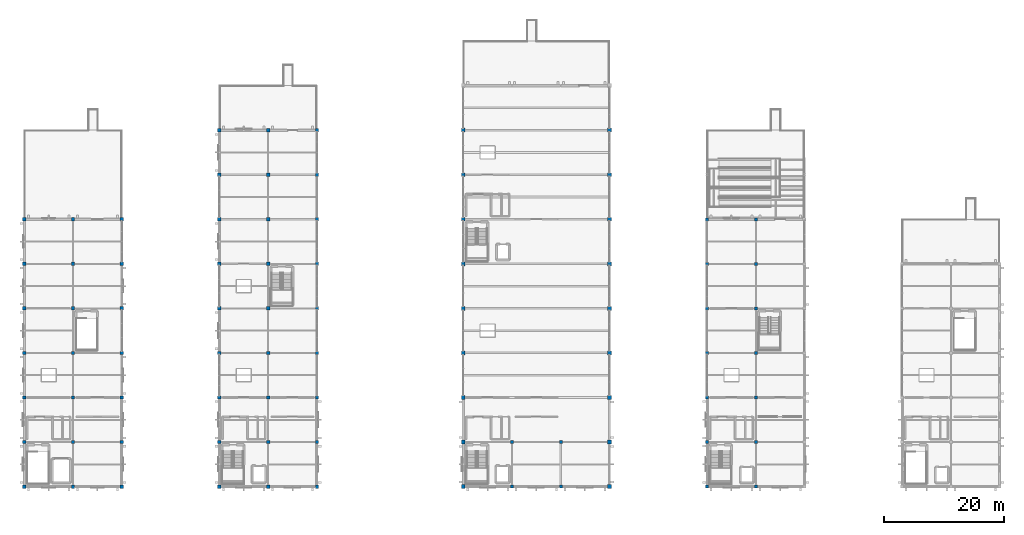
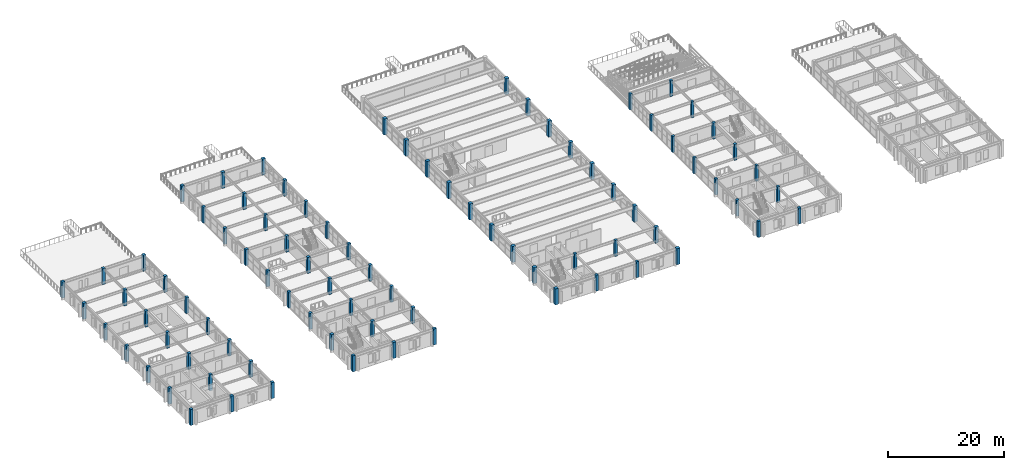
# One storey, part 1 of 93: 84 columns.
"""IFC4 building model written with IfcOpenShell, lengths in metres."""

import ifcopenshell
import ifcopenshell.guid

model = None  # the IFC model being written
_history = None  # IfcOwnerHistory: only IFC2X3 demands one
_inside = {}  # id of a spatial element -> (the spatial element, [elements in it])
_under = {}  # id of a project, library or spatial element -> (it, [spatial elements below it])
_declared = {}  # id of a project -> (the project, [libraries it declares])
_typed = {}  # id of a type object -> (the type object, [elements of that type])
_made_of = {}  # id of a material, layer set ... -> (it, [elements and type objects made of it])


def new_model(schema):
    """Start an empty IFC model of exactly this schema.

    Asked for "IFC4X3", IfcOpenShell would pick the latest addendum, in which some entities
    have other attributes; the version numbers below select the first issue.
    IFC2X3 requires an IfcOwnerHistory on every rooted entity: one is made here for all.
    """
    global model, _history
    if schema == "IFC4X3":
        model = ifcopenshell.file(schema_version=(4, 3, 0, 0))
    else:
        model = ifcopenshell.file(schema=schema)
    _inside.clear()
    _under.clear()
    _declared.clear()
    _typed.clear()
    _made_of.clear()
    _history = None
    if model.schema == "IFC2X3":
        org = make("IfcOrganization", Name="unknown")
        user = make(
            "IfcPersonAndOrganization",
            ThePerson=make("IfcPerson", FamilyName="unknown"),
            TheOrganization=org,
        )
        app = make(
            "IfcApplication",
            ApplicationDeveloper=org,
            Version="unknown",
            ApplicationFullName="unknown",
            ApplicationIdentifier="unknown",
        )
        _history = make(
            "IfcOwnerHistory",
            OwningUser=user,
            OwningApplication=app,
            ChangeAction="ADDED",
            CreationDate=0,
        )
    return model


def make(cls, **values):
    """One entity of the class cls with the attributes given. An attribute that is None is left unset."""
    return model.create_entity(
        cls, **{name: value for name, value in values.items() if value is not None}
    )


def rooted(cls, **values):
    """An entity with a GlobalId (a new one), such as an element, a storey or a relation."""
    return make(cls, GlobalId=ifcopenshell.guid.new(), OwnerHistory=_history, **values)


def si_unit(unit_type, name, prefix=None):
    """IfcSIUnit, for example si_unit("LENGTHUNIT", "METRE", prefix="MILLI")."""
    return make("IfcSIUnit", UnitType=unit_type, Prefix=prefix, Name=name)


def assignment(units):
    """IfcUnitAssignment: the units of a project."""
    return None if units is None else make("IfcUnitAssignment", Units=units)


def point(xyz):
    """IfcCartesianPoint."""
    return None if xyz is None else make("IfcCartesianPoint", Coordinates=xyz)


def direction(xyz):
    """IfcDirection."""
    return None if xyz is None else make("IfcDirection", DirectionRatios=xyz)


def frame(location, z_axis=None, x_axis=None):
    """IfcAxis2Placement3D, a coordinate frame: its origin and axes. An axis left out is left unset."""
    return make(
        "IfcAxis2Placement3D",
        Location=point(location),
        Axis=direction(z_axis),
        RefDirection=direction(x_axis),
    )


def frame_2d(location, x_axis=None):
    """IfcAxis2Placement2D, a coordinate frame in the plane: its origin and x axis."""
    return make(
        "IfcAxis2Placement2D", Location=point(location), RefDirection=direction(x_axis)
    )


def origin():
    """The frame at (0, 0, 0) with its axes left unset."""
    return frame((0.0, 0.0, 0.0))


def origin_2d():
    """The frame at (0, 0) in the plane with its x axis left unset."""
    return frame_2d((0.0, 0.0))


def place(relative_to, where):
    """IfcLocalPlacement: puts the frame where relative to a parent placement (None: the world)."""
    return make(
        "IfcLocalPlacement", PlacementRelTo=relative_to, RelativePlacement=where
    )


def context(
    kind, dimensions, precision=None, world=None, true_north=None, identifier=None
):
    """IfcGeometricRepresentationContext, for example the 3D "Model" context."""
    return make(
        "IfcGeometricRepresentationContext",
        ContextIdentifier=identifier,
        ContextType=kind,
        CoordinateSpaceDimension=dimensions,
        Precision=precision,
        WorldCoordinateSystem=world,
        TrueNorth=true_north,
    )


def subcontext(parent, identifier, kind, view, scale=None):
    """IfcGeometricRepresentationSubContext, for example "Body" below "Model"."""
    return make(
        "IfcGeometricRepresentationSubContext",
        ContextIdentifier=identifier,
        ContextType=kind,
        ParentContext=parent,
        TargetScale=scale,
        TargetView=view,
    )


def project(units=None, contexts=None):
    """IfcProject with its units and contexts."""
    return rooted(
        "IfcProject",
        Name="project",
        RepresentationContexts=contexts,
        UnitsInContext=assignment(units),
    )


def spatial(cls, under=None, at=None, **own):
    """A site, building, storey or space (cls), placed at a placement, below another one or the project."""
    s = rooted(cls, ObjectPlacement=at, **own)
    if under is not None:
        _under.setdefault(under.id(), (under, []))[1].append(s)
    return s


def profile(cls, at=None, kind="AREA", **sizes):
    """A parametric profile (cls). Its sizes go by their IFC names, for example OverallWidth=200.0."""
    return make(cls, ProfileType=kind, Position=at, **sizes)


def rectangle(**sizes):
    """IfcRectangleProfileDef."""
    return profile("IfcRectangleProfileDef", **sizes)


def extrude(swept, where, along, depth):
    """IfcExtrudedAreaSolid: the profile swept, set in the frame where, extruded along a direction by depth."""
    return make(
        "IfcExtrudedAreaSolid",
        SweptArea=swept,
        Position=where,
        ExtrudedDirection=direction(along),
        Depth=depth,
    )


def shape(context_of_items, identifier, shape_type, items):
    """IfcShapeRepresentation: the items that make up one representation, for example the "Body"."""
    return make(
        "IfcShapeRepresentation",
        ContextOfItems=context_of_items,
        RepresentationIdentifier=identifier,
        RepresentationType=shape_type,
        Items=items,
    )


def material(Name=None, Category=None):
    """IfcMaterial."""
    return make("IfcMaterial", Name=Name, Category=Category)


def material_profile(
    of_material, cross_section, Name=None, Category=None, Priority=None
):
    """IfcMaterialProfile: a cross section and its material."""
    return make(
        "IfcMaterialProfile",
        Name=Name,
        Material=of_material,
        Profile=cross_section,
        Priority=Priority,
        Category=Category,
    )


def profile_set(profiles, Name=None, composite=None):
    """IfcMaterialProfileSet."""
    return make(
        "IfcMaterialProfileSet",
        Name=Name,
        MaterialProfiles=profiles,
        CompositeProfile=composite,
    )


def made_of(thing, what):
    """Note that an element or type object is made of a material, layer set ...; save() writes the relation."""
    if what is not None:
        _made_of.setdefault(what.id(), (what, []))[1].append(thing)
    return thing


def type_object(cls, material=None, **own):
    """A type object (cls), such as IfcWallType, which elements share."""
    return made_of(rooted(cls, **own), material)


def element(
    cls,
    number,
    at=None,
    inside=None,
    cuts=None,
    type_object=None,
    material=None,
    context=None,
    identifier="Body",
    shape_type=None,
    held_by="IfcProductDefinitionShape",
    body=None,
    shapes=None,
    **own,
):
    """One element of the class cls, such as IfcWall. Its Tag is "e" and its number.

    at: its placement. inside: the storey or other place that contains it. cuts: it is an
    opening in that element (IfcRelVoidsElement). A single representation is given by context,
    identifier, shape_type and body (its items); several are given by shapes. held_by: the class
    of the entity that holds the representations. save() writes the other relations.
    """
    e = rooted(cls, Tag="e%d" % number, ObjectPlacement=at, **own)
    if body is not None:
        shapes = [shape(context, identifier, shape_type, body)]
    if shapes is not None:
        e.Representation = make(held_by, Representations=shapes)
    if inside is not None:
        _inside.setdefault(inside.id(), (inside, []))[1].append(e)
    if cuts is not None:
        rooted(
            "IfcRelVoidsElement", RelatingBuildingElement=cuts, RelatedOpeningElement=e
        )
    if type_object is not None:
        _typed.setdefault(type_object.id(), (type_object, []))[1].append(e)
    return made_of(e, material)


def aggregate(whole, parts):
    """IfcRelAggregates: a whole, such as a stair, and the parts it consists of."""
    return rooted("IfcRelAggregates", RelatingObject=whole, RelatedObjects=parts)


def save(model, path):
    """Write the relations noted so far, then the file.

    IfcRelAggregates (storeys below a building ...), IfcRelContainedInSpatialStructure (elements
    in a storey), IfcRelDefinesByType, IfcRelAssociatesMaterial and IfcRelDeclares: one each for
    every whole, place, type object, material and project.
    """
    for whole, parts in _under.values():
        aggregate(whole, parts)
    for where, things in _inside.values():
        rooted(
            "IfcRelContainedInSpatialStructure",
            RelatedElements=things,
            RelatingStructure=where,
        )
    for kind, things in _typed.values():
        rooted("IfcRelDefinesByType", RelatedObjects=things, RelatingType=kind)
    for what, things in _made_of.values():
        rooted("IfcRelAssociatesMaterial", RelatedObjects=things, RelatingMaterial=what)
    for by, libraries in _declared.values():
        rooted("IfcRelDeclares", RelatingContext=by, RelatedDefinitions=libraries)
    model.write(path)


model = new_model("IFC4")

# Units and contexts
model_context = context("Model", 3, precision=1e-05, world=origin(), true_north=direction((0.0, 1.0)))
body_context = subcontext(model_context, "Body", "Model", "MODEL_VIEW")
ifc_project = project(units=[si_unit("LENGTHUNIT", "METRE"), si_unit("AREAUNIT", "SQUARE_METRE"), si_unit("VOLUMEUNIT", "CUBIC_METRE"), si_unit("PLANEANGLEUNIT", "RADIAN"), si_unit("MASSUNIT", "GRAM", prefix="KILO")], contexts=[model_context])

# Site, building, storey
site_placement = place(None, origin())
site = spatial("IfcSite", under=ifc_project, at=site_placement, CompositionType="ELEMENT")
building_placement = place(site_placement, origin())
building = spatial("IfcBuilding", under=site, at=building_placement, Name="Cimatlan Art Gallery", CompositionType="ELEMENT")
storey_placement = place(building_placement, frame((0.0, 0.0, 13.800048828125)))
storey = spatial("IfcBuildingStorey", under=building, at=storey_placement, Name="L03", CompositionType="ELEMENT", Elevation=13.800048828125)

# Columns
ifc_material = material(Name="Concrete C45/55", Category="concrete")
ifc_material_profile_1 = material_profile(ifc_material, rectangle(XDim=0.5, YDim=0.5, at=origin_2d()), Name="RC500X500")
ifc_profile_set_1 = profile_set([ifc_material_profile_1], Name="Concrete C45/55")
column_type_1 = type_object("IfcColumnType", Name="COL-RC-500", PredefinedType="COLUMN", material=ifc_profile_set_1)
for number, where, z_axis, x_axis, name in (
    (1, (83.0, 23.89990234375, 0.0), (0.0, 0.0, 1.0), (1.0, 0.0, 0.0), "COL-L03-10-03"),
    (2, (83.0, 31.300048828125, 0.0), (0.0, 0.0, 1.0), (1.0, 0.0, 0.0), "COL-L03-10-04"),
    (3, (91.10009765625, 23.89990234375, 0.0), (0.0, 0.0, 1.0), (1.0, 0.0, 0.0), "COL-L03-11-03"),
    (4, (91.10009765625, 31.300048828125, 0.0), (0.0, 0.0, 1.0), (1.0, 0.0, 0.0), "COL-L03-11-04"),
    (5, (115.39990234375, 23.89990234375, 0.0), (0.0, 0.0, 1.0), (1.0, 0.0, 0.0), "COL-L03-14-03"),
    (6, (115.39990234375, 31.300048828125, 0.0), (0.0, 0.0, 1.0), (1.0, 0.0, 0.0), "COL-L03-14-04"),
    (7, (115.39990234375, 38.699951171875, 0.0), (0.0, 0.0, 1.0), (1.0, 0.0, 0.0), "COL-L03-14-05"),
    (8, (115.39990234375, 46.10009765625, 0.0), (0.0, 0.0, 1.0), (1.0, 0.0, 0.0), "COL-L03-14-06"),
    (9, (115.39990234375, 53.5, 0.0), (0.0, 0.0, 1.0), (1.0, 0.0, 0.0), "COL-L03-14-07"),
    (10, (115.39990234375, 60.89990234375, 0.0), (0.0, 0.0, 1.0), (1.0, 0.0, 0.0), "COL-L03-14-08"),
    (11, (115.39990234375, 68.300048828125, 0.0), (0.0, 0.0, 1.0), (1.0, 0.0, 0.0), "COL-L03-14-09"),
    (12, (123.5, 23.89990234375, 0.0), (0.0, 0.0, 1.0), (1.0, 0.0, 0.0), "COL-L03-15-03"),
    (13, (123.5, 31.300048828125, 0.0), (0.0, 0.0, 1.0), (1.0, 0.0, 0.0), "COL-L03-15-04"),
    (14, (123.5, 38.699951171875, 0.0), (0.0, 0.0, 1.0), (1.0, 0.0, 0.0), "COL-L03-15-05"),
    (15, (123.5, 46.10009765625, 0.0), (0.0, 0.0, 1.0), (1.0, 0.0, 0.0), "COL-L03-15-06"),
    (16, (123.5, 53.5, 0.0), (0.0, 0.0, 1.0), (1.0, 0.0, 0.0), "COL-L03-15-07"),
    (17, (123.5, 60.89990234375, 0.0), (0.0, 0.0, 1.0), (1.0, 0.0, 0.0), "COL-L03-15-08"),
    (18, (123.5, 68.300048828125, 0.0), (0.0, 0.0, 1.0), (1.0, 0.0, 0.0), "COL-L03-15-09"),
):
    element("IfcColumn", number, at=place(storey_placement, frame(where, z_axis=z_axis, x_axis=x_axis)), inside=storey, type_object=column_type_1, Name=name, PredefinedType="COLUMN", context=body_context, shape_type="SweptSolid", body=[
        extrude(rectangle(XDim=0.5, YDim=0.5, at=origin_2d()), origin(), (0.0, 0.0, 1.0), 3.3798828125),
    ])
ifc_material_profile_2 = material_profile(ifc_material, rectangle(XDim=0.550048828125, YDim=0.550048828125, at=origin_2d()), Name="RC550X550")
ifc_profile_set_2 = profile_set([ifc_material_profile_2], Name="Concrete C45/55")
column_type_2 = type_object("IfcColumnType", Name="COL-RC-550", PredefinedType="COLUMN", material=ifc_profile_set_2)
for number, where, z_axis, x_axis, name in (
    (19, (2.0, 23.89990234375, 0.0), (0.0, 0.0, 1.0), (1.0, 0.0, 0.0), "COL-L03-00-03"),
    (20, (2.0, 31.300048828125, 0.0), (0.0, 0.0, 1.0), (1.0, 0.0, 0.0), "COL-L03-00-04"),
    (21, (2.0, 38.699951171875, 0.0), (0.0, 0.0, 1.0), (1.0, 0.0, 0.0), "COL-L03-00-05"),
    (22, (2.0, 46.10009765625, 0.0), (0.0, 0.0, 1.0), (1.0, 0.0, 0.0), "COL-L03-00-06"),
    (23, (2.0, 53.5, 0.0), (0.0, 0.0, 1.0), (1.0, 0.0, 0.0), "COL-L03-00-07"),
    (24, (2.0, 60.89990234375, 0.0), (0.0, 0.0, 1.0), (1.0, 0.0, 0.0), "COL-L03-00-08"),
    (25, (2.0, 68.300048828125, 0.0), (0.0, 0.0, 1.0), (1.0, 0.0, 0.0), "COL-L03-00-09"),
    (26, (10.10009765625, 23.89990234375, 0.0), (0.0, 0.0, 1.0), (1.0, 0.0, 0.0), "COL-L03-01-03"),
    (27, (10.10009765625, 31.300048828125, 0.0), (0.0, 0.0, 1.0), (1.0, 0.0, 0.0), "COL-L03-01-04"),
    (28, (10.10009765625, 38.699951171875, 0.0), (0.0, 0.0, 1.0), (1.0, 0.0, 0.0), "COL-L03-01-05"),
    (29, (10.10009765625, 46.10009765625, 0.0), (0.0, 0.0, 1.0), (1.0, 0.0, 0.0), "COL-L03-01-06"),
    (30, (10.10009765625, 53.5, 0.0), (0.0, 0.0, 1.0), (1.0, 0.0, 0.0), "COL-L03-01-07"),
    (31, (10.10009765625, 60.89990234375, 0.0), (0.0, 0.0, 1.0), (1.0, 0.0, 0.0), "COL-L03-01-08"),
    (32, (10.10009765625, 68.300048828125, 0.0), (0.0, 0.0, 1.0), (1.0, 0.0, 0.0), "COL-L03-01-09"),
    (33, (18.199951171875, 23.89990234375, 0.0), (0.0, 0.0, 1.0), (1.0, 0.0, 0.0), "COL-L03-02-03"),
    (34, (18.199951171875, 31.300048828125, 0.0), (0.0, 0.0, 1.0), (1.0, 0.0, 0.0), "COL-L03-02-04"),
    (35, (18.199951171875, 38.699951171875, 0.0), (0.0, 0.0, 1.0), (1.0, 0.0, 0.0), "COL-L03-02-05"),
    (36, (18.199951171875, 46.10009765625, 0.0), (0.0, 0.0, 1.0), (1.0, 0.0, 0.0), "COL-L03-02-06"),
    (37, (18.199951171875, 53.5, 0.0), (0.0, 0.0, 1.0), (1.0, 0.0, 0.0), "COL-L03-02-07"),
    (38, (18.199951171875, 60.89990234375, 0.0), (0.0, 0.0, 1.0), (1.0, 0.0, 0.0), "COL-L03-02-08"),
    (39, (18.199951171875, 68.300048828125, 0.0), (0.0, 0.0, 1.0), (1.0, 0.0, 0.0), "COL-L03-02-09"),
    (40, (34.39990234375, 23.89990234375, 0.0), (0.0, 0.0, 1.0), (1.0, 0.0, 0.0), "COL-L03-04-03"),
    (41, (34.39990234375, 31.300048828125, 0.0), (0.0, 0.0, 1.0), (1.0, 0.0, 0.0), "COL-L03-04-04"),
    (42, (34.39990234375, 38.699951171875, 0.0), (0.0, 0.0, 1.0), (1.0, 0.0, 0.0), "COL-L03-04-05"),
    (43, (34.39990234375, 46.10009765625, 0.0), (0.0, 0.0, 1.0), (1.0, 0.0, 0.0), "COL-L03-04-06"),
    (44, (34.39990234375, 53.5, 0.0), (0.0, 0.0, 1.0), (1.0, 0.0, 0.0), "COL-L03-04-07"),
    (45, (34.39990234375, 60.89990234375, 0.0), (0.0, 0.0, 1.0), (1.0, 0.0, 0.0), "COL-L03-04-08"),
    (46, (34.39990234375, 68.300048828125, 0.0), (0.0, 0.0, 1.0), (1.0, 0.0, 0.0), "COL-L03-04-09"),
    (47, (34.39990234375, 75.699951171875, 0.0), (0.0, 0.0, 1.0), (1.0, 0.0, 0.0), "COL-L03-04-10"),
    (48, (34.39990234375, 83.10009765625, 0.0), (0.0, 0.0, 1.0), (1.0, 0.0, 0.0), "COL-L03-04-11"),
    (49, (42.5, 23.89990234375, 0.0), (0.0, 0.0, 1.0), (1.0, 0.0, 0.0), "COL-L03-05-03"),
    (50, (42.5, 31.300048828125, 0.0), (0.0, 0.0, 1.0), (1.0, 0.0, 0.0), "COL-L03-05-04"),
    (51, (42.5, 38.699951171875, 0.0), (0.0, 0.0, 1.0), (1.0, 0.0, 0.0), "COL-L03-05-05"),
    (52, (42.5, 46.10009765625, 0.0), (0.0, 0.0, 1.0), (1.0, 0.0, 0.0), "COL-L03-05-06"),
    (53, (42.5, 53.5, 0.0), (0.0, 0.0, 1.0), (1.0, 0.0, 0.0), "COL-L03-05-07"),
    (54, (42.5, 60.89990234375, 0.0), (0.0, 0.0, 1.0), (1.0, 0.0, 0.0), "COL-L03-05-08"),
    (55, (42.5, 68.300048828125, 0.0), (0.0, 0.0, 1.0), (1.0, 0.0, 0.0), "COL-L03-05-09"),
    (56, (42.5, 75.699951171875, 0.0), (0.0, 0.0, 1.0), (1.0, 0.0, 0.0), "COL-L03-05-10"),
    (57, (42.5, 83.10009765625, 0.0), (0.0, 0.0, 1.0), (1.0, 0.0, 0.0), "COL-L03-05-11"),
    (58, (50.60009765625, 23.89990234375, 0.0), (0.0, 0.0, 1.0), (1.0, 0.0, 0.0), "COL-L03-06-03"),
    (59, (50.60009765625, 31.300048828125, 0.0), (0.0, 0.0, 1.0), (1.0, 0.0, 0.0), "COL-L03-06-04"),
    (60, (50.60009765625, 38.699951171875, 0.0), (0.0, 0.0, 1.0), (1.0, 0.0, 0.0), "COL-L03-06-05"),
    (61, (50.60009765625, 46.10009765625, 0.0), (0.0, 0.0, 1.0), (1.0, 0.0, 0.0), "COL-L03-06-06"),
    (62, (50.60009765625, 53.5, 0.0), (0.0, 0.0, 1.0), (1.0, 0.0, 0.0), "COL-L03-06-07"),
    (63, (50.60009765625, 60.89990234375, 0.0), (0.0, 0.0, 1.0), (1.0, 0.0, 0.0), "COL-L03-06-08"),
    (64, (50.60009765625, 68.300048828125, 0.0), (0.0, 0.0, 1.0), (1.0, 0.0, 0.0), "COL-L03-06-09"),
    (65, (50.60009765625, 75.699951171875, 0.0), (0.0, 0.0, 1.0), (1.0, 0.0, 0.0), "COL-L03-06-10"),
    (66, (50.60009765625, 83.10009765625, 0.0), (0.0, 0.0, 1.0), (1.0, 0.0, 0.0), "COL-L03-06-11"),
):
    element("IfcColumn", number, at=place(storey_placement, frame(where, z_axis=z_axis, x_axis=x_axis)), inside=storey, type_object=column_type_2, Name=name, PredefinedType="COLUMN", context=body_context, shape_type="SweptSolid", body=[
        extrude(rectangle(XDim=0.550048828125, YDim=0.550048828125, at=origin_2d()), origin(), (0.0, 0.0, 1.0), 3.3798828125),
    ])
ifc_material_profile_3 = material_profile(ifc_material, rectangle(XDim=0.64990234375, YDim=0.64990234375, at=origin_2d()), Name="RC650X650")
ifc_profile_set_3 = profile_set([ifc_material_profile_3], Name="Concrete C45/55")
column_type_3 = type_object("IfcColumnType", Name="COL-RC-650", PredefinedType="COLUMN", material=ifc_profile_set_3)
for number, where, z_axis, x_axis, name in (
    (67, (74.89990234375, 23.89990234375, 0.0), (0.0, 0.0, 1.0), (1.0, 0.0, 0.0), "COL-L03-09-03"),
    (68, (74.89990234375, 31.300048828125, 0.0), (0.0, 0.0, 1.0), (1.0, 0.0, 0.0), "COL-L03-09-04"),
    (69, (74.89990234375, 38.699951171875, 0.0), (0.0, 0.0, 1.0), (1.0, 0.0, 0.0), "COL-L03-09-05"),
    (70, (74.89990234375, 46.10009765625, 0.0), (0.0, 0.0, 1.0), (1.0, 0.0, 0.0), "COL-L03-09-06"),
    (71, (74.89990234375, 53.5, 0.0), (0.0, 0.0, 1.0), (1.0, 0.0, 0.0), "COL-L03-09-07"),
    (72, (74.89990234375, 60.89990234375, 0.0), (0.0, 0.0, 1.0), (1.0, 0.0, 0.0), "COL-L03-09-08"),
    (73, (74.89990234375, 68.300048828125, 0.0), (0.0, 0.0, 1.0), (1.0, 0.0, 0.0), "COL-L03-09-09"),
    (74, (74.89990234375, 75.699951171875, 0.0), (0.0, 0.0, 1.0), (1.0, 0.0, 0.0), "COL-L03-09-10"),
    (75, (74.89990234375, 83.10009765625, 0.0), (0.0, 0.0, 1.0), (1.0, 0.0, 0.0), "COL-L03-09-11"),
    (76, (99.199951171875, 23.89990234375, 0.0), (0.0, 0.0, 1.0), (1.0, 0.0, 0.0), "COL-L03-12-03"),
    (77, (99.199951171875, 31.300048828125, 0.0), (0.0, 0.0, 1.0), (1.0, 0.0, 0.0), "COL-L03-12-04"),
    (78, (99.199951171875, 38.699951171875, 0.0), (0.0, 0.0, 1.0), (1.0, 0.0, 0.0), "COL-L03-12-05"),
    (79, (99.199951171875, 46.10009765625, 0.0), (0.0, 0.0, 1.0), (1.0, 0.0, 0.0), "COL-L03-12-06"),
    (80, (99.199951171875, 53.5, 0.0), (0.0, 0.0, 1.0), (1.0, 0.0, 0.0), "COL-L03-12-07"),
    (81, (99.199951171875, 60.89990234375, 0.0), (0.0, 0.0, 1.0), (1.0, 0.0, 0.0), "COL-L03-12-08"),
    (82, (99.199951171875, 68.300048828125, 0.0), (0.0, 0.0, 1.0), (1.0, 0.0, 0.0), "COL-L03-12-09"),
    (83, (99.199951171875, 75.699951171875, 0.0), (0.0, 0.0, 1.0), (1.0, 0.0, 0.0), "COL-L03-12-10"),
    (84, (99.199951171875, 83.10009765625, 0.0), (0.0, 0.0, 1.0), (1.0, 0.0, 0.0), "COL-L03-12-11"),
):
    element("IfcColumn", number, at=place(storey_placement, frame(where, z_axis=z_axis, x_axis=x_axis)), inside=storey, type_object=column_type_3, Name=name, PredefinedType="COLUMN", context=body_context, shape_type="SweptSolid", body=[
        extrude(rectangle(XDim=0.64990234375, YDim=0.64990234375, at=origin_2d()), origin(), (0.0, 0.0, 1.0), 3.3798828125),
    ])

save(model, "model.ifc")
